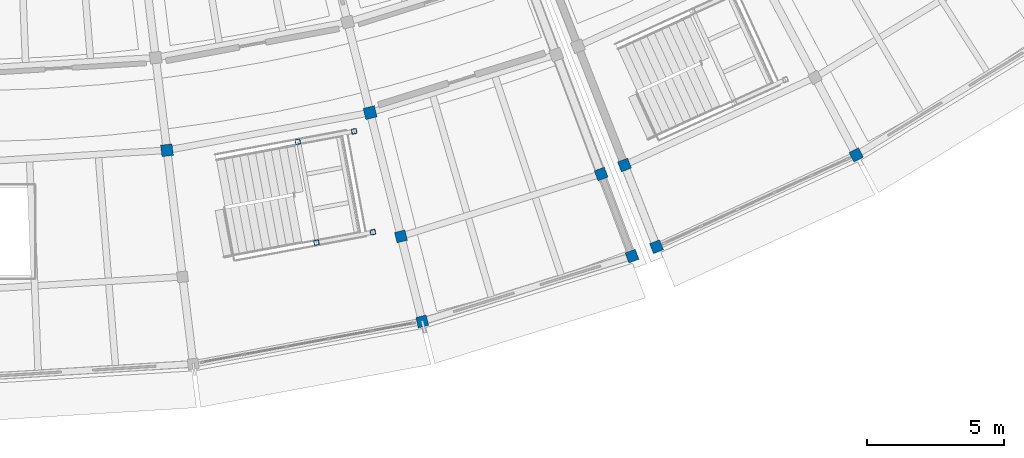
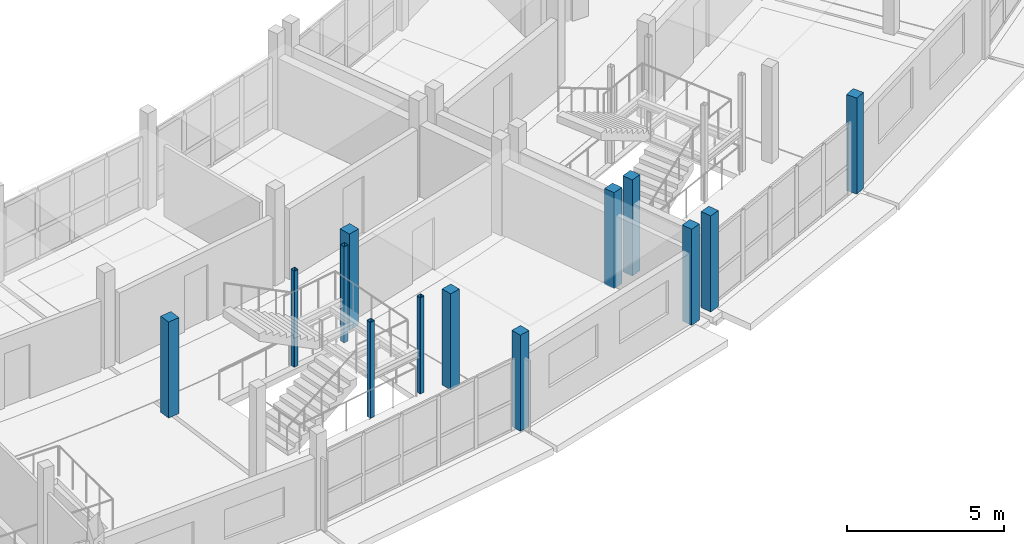
# One storey, part 7 of 66: 13 columns.
"""IFC4 building model written with IfcOpenShell, lengths in metres."""

from ifc_helpers import new_model, si_unit, direction, frame, origin, origin_2d, place, context, subcontext, project, spatial, rectangle, hollow_rectangle, extrude, material, material_profile, profile_set, type_object, element, save


model = new_model("IFC4")

# Units and contexts
model_context = context("Model", 3, precision=1e-05, world=origin(), true_north=direction((0.0, 1.0)))
body_context = subcontext(model_context, "Body", "Model", "MODEL_VIEW")
ifc_project = project(units=[si_unit("LENGTHUNIT", "METRE"), si_unit("AREAUNIT", "SQUARE_METRE"), si_unit("VOLUMEUNIT", "CUBIC_METRE"), si_unit("PLANEANGLEUNIT", "RADIAN"), si_unit("MASSUNIT", "GRAM", prefix="KILO")], contexts=[model_context])

# Site, building, storey
site_placement = place(None, origin())
site = spatial("IfcSite", under=ifc_project, at=site_placement, CompositionType="ELEMENT")
building_placement = place(site_placement, origin())
building = spatial("IfcBuilding", under=site, at=building_placement, Name="Caldaven Crescent School", CompositionType="ELEMENT")
storey_placement = place(building_placement, frame((0.0, 0.0, 8.159912109375)))
storey = spatial("IfcBuildingStorey", under=building, at=storey_placement, Name="L02", CompositionType="ELEMENT", Elevation=8.159912109375)

# Columns
ifc_material_1 = material(Name="Glulam MLE24h (GL28h)", Category="wood")
ifc_material_profile_1 = material_profile(ifc_material_1, rectangle(XDim=0.389892578125, YDim=0.389892578125, at=origin_2d()), Name="MLE 390x390")
ifc_profile_set_1 = profile_set([ifc_material_profile_1], Name="Glulam MLE24h (GL28h)")
column_type_1 = type_object("IfcColumnType", Name="COL-GL39", PredefinedType="COLUMN", material=ifc_profile_set_1)
for number, where, z_axis, x_axis, name in (
    (1, (104.051513671875, 31.620849609375, 0.0), (0.0, 0.0, 1.0), (0.2419218956, -0.970295726276, 0.0), "COL-V5-L02-05-3"),
    (2, (104.82568359375, 28.515869140625, 0.0), (0.0, 0.0, 1.0), (0.2419218956, -0.970295726276, 0.0), "COL-V5-L02-05-4"),
    (3, (111.3505859375, 33.894775390625, 0.0), (0.0, 0.0, 1.0), (0.352005016254, -0.93599811353, 0.0), "COL-V5-L02-06-3"),
    (4, (112.476806640625, 30.8994140625, 0.0), (0.0, 0.0, 1.0), (0.352005016254, -0.93599811353, 0.0), "COL-V5-L02-06-4"),
    (5, (112.20361328125, 34.22216796875, 0.0), (0.0, 0.0, 1.0), (0.364714278886, -0.931119484694, 0.0), "COL-V4E-L02-00-3"),
    (6, (113.370849609375, 31.24267578125, 0.0), (0.0, 0.0, 1.0), (0.364714278886, -0.931119484694, 0.0), "COL-V4E-L02-00-4"),
    (7, (120.65185546875, 34.591064453125, 0.0), (0.0, 0.0, 1.0), (0.469471562786, -0.882947592859, 0.0), "COL-V4E-L02-01-4"),
):
    element("IfcColumn", number, at=place(storey_placement, frame(where, z_axis=z_axis, x_axis=x_axis)), inside=storey, type_object=column_type_1, Name=name, PredefinedType="COLUMN", context=body_context, shape_type="SweptSolid", body=[
        extrude(rectangle(XDim=0.389892578125, YDim=0.389892578125, at=origin_2d()), origin(), (0.0, 0.0, 1.0), 3.739990234375),
    ])
ifc_material_profile_2 = material_profile(ifc_material_1, rectangle(XDim=0.419921875, YDim=0.419921875, at=origin_2d()), Name="MLE 420x420")
ifc_profile_set_2 = profile_set([ifc_material_profile_2], Name="Glulam MLE24h (GL28h)")
column_type_2 = type_object("IfcColumnType", Name="COL-GL42", PredefinedType="COLUMN", material=ifc_profile_set_2)
for number, where, z_axis, x_axis, name in (
    (8, (95.519287109375, 34.760009765625, 0.0), (0.0, 0.0, 1.0), (0.121869343405, -0.992546151641, 0.0), "COL-V5-L02-04-2"),
    (9, (102.926513671875, 36.1328125, 0.0), (0.0, 0.0, 1.0), (0.2419218956, -0.970295726276, 0.0), "COL-V5-L02-05-2"),
):
    element("IfcColumn", number, at=place(storey_placement, frame(where, z_axis=z_axis, x_axis=x_axis)), inside=storey, type_object=column_type_2, Name=name, PredefinedType="COLUMN", context=body_context, shape_type="SweptSolid", body=[
        extrude(rectangle(XDim=0.419921875, YDim=0.419921875, at=origin_2d()), origin(), (0.0, 0.0, 1.0), 3.739990234375),
    ])
ifc_material_2 = material(Name="Steel ASTM A572 Grade 50", Category="steel")
ifc_material_profile_3 = material_profile(ifc_material_2, hollow_rectangle(XDim=0.179931640625, YDim=0.179931640625, WallThickness=0.010009765625, InnerFilletRadius=0.010009765625, OuterFilletRadius=0.02001953125, at=origin_2d()), Name="HSS 180x180x10")
ifc_profile_set_3 = profile_set([ifc_material_profile_3], Name="Steel ASTM A572 Grade 50")
column_type_3 = type_object("IfcColumnType", Name="COL-HS18", PredefinedType="COLUMN", material=ifc_profile_set_3)
for number, where, z_axis, x_axis, name in (
    (10, (100.97119140625, 31.391845703125, 0.0), (0.0, 0.0, 1.0), (0.983254907564, 0.182235525492, 0.0), "COL-STPOST-ST3-L02-A"),
    (11, (100.28955078125, 35.0693359375, 0.0), (0.0, 0.0, 1.0), (0.983254907564, 0.182235525492, 0.0), "COL-STPOST-ST3-L02-B"),
    (12, (103.026123046875, 31.772705078125, 0.0), (0.0, 0.0, 1.0), (0.983254907564, 0.182235525492, 0.0), "COL-STPOST-ST3-L02-C"),
    (13, (102.344482421875, 35.4501953125, 0.0), (0.0, 0.0, 1.0), (0.983254907564, 0.182235525492, 0.0), "COL-STPOST-ST3-L02-D"),
):
    element("IfcColumn", number, at=place(storey_placement, frame(where, z_axis=z_axis, x_axis=x_axis)), inside=storey, type_object=column_type_3, Name=name, PredefinedType="COLUMN", context=body_context, shape_type="SweptSolid", body=[
        extrude(hollow_rectangle(XDim=0.179931640625, YDim=0.179931640625, WallThickness=0.010009765625, InnerFilletRadius=0.010009765625, OuterFilletRadius=0.02001953125, at=origin_2d()), origin(), (0.0, 0.0, 1.0), 3.739990234375),
    ])

save(model, "model.ifc")
